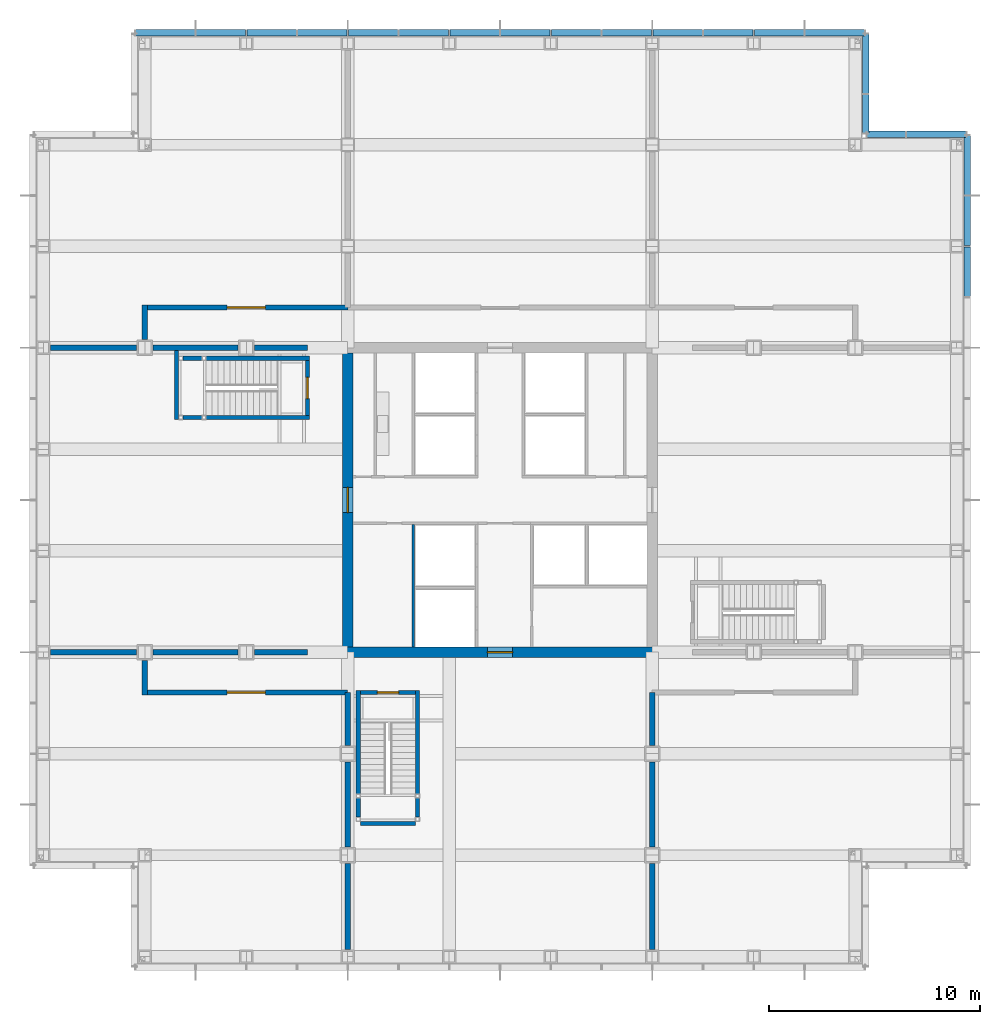
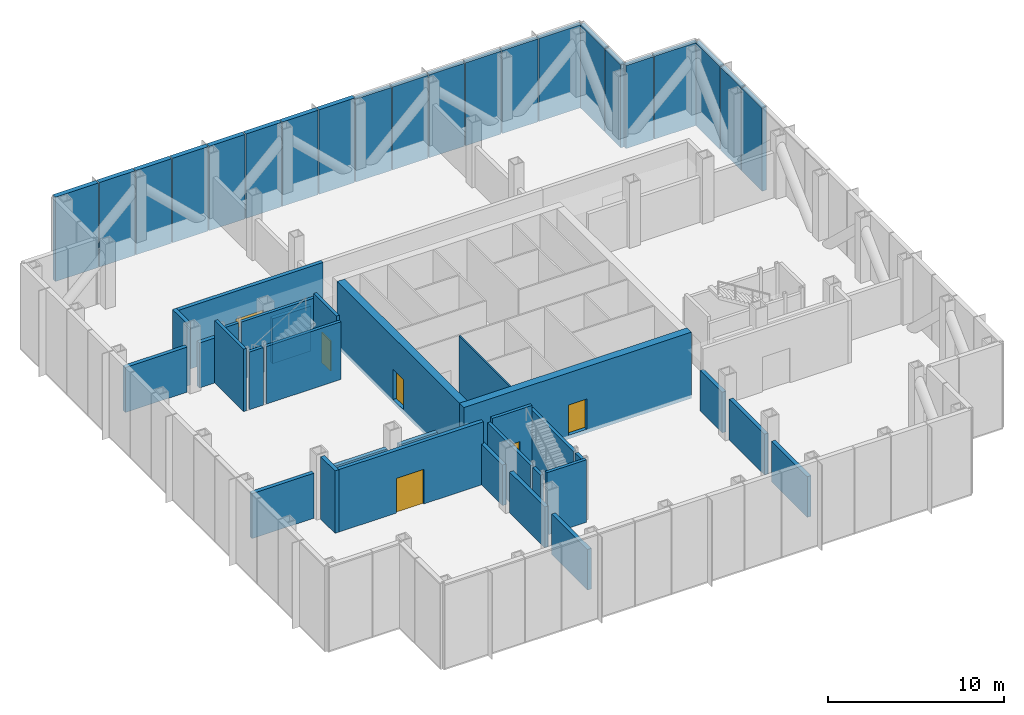
# One storey, part 13 of 18: 31 walls, 21 plates, 6 doors, 6 openings, 4 elements without a shape of their own.
"""IFC4 building model written with IfcOpenShell, lengths in metres."""

from ifc_helpers import new_model, si_unit, direction, frame, frame_2d, origin, origin_2d, place, context, subcontext, project, spatial, rectangle, extrude, material, layer, layer_set, type_object, element, fill, aggregate, save


model = new_model("IFC4")

# Units and contexts
model_context = context("Model", 3, precision=1e-05, world=origin(), true_north=direction((0.0, 1.0)))
body_context = subcontext(model_context, "Body", "Model", "MODEL_VIEW")
ifc_project = project(units=[si_unit("LENGTHUNIT", "METRE"), si_unit("AREAUNIT", "SQUARE_METRE"), si_unit("VOLUMEUNIT", "CUBIC_METRE"), si_unit("PLANEANGLEUNIT", "RADIAN"), si_unit("MASSUNIT", "GRAM", prefix="KILO")], contexts=[model_context])

# Site, building, storey
site_placement = place(None, origin())
site = spatial("IfcSite", under=ifc_project, at=site_placement, CompositionType="ELEMENT")
building_placement = place(site_placement, origin())
building = spatial("IfcBuilding", under=site, at=building_placement, Name="Kvirike Care Tower", CompositionType="ELEMENT")
storey_placement = place(building_placement, frame((0.0, 0.0, 79.5)))
storey = spatial("IfcBuildingStorey", under=building, at=storey_placement, Name="L21", CompositionType="ELEMENT", Elevation=79.5)

# Curtain wall, plates
ifc_material_1 = material(Name="Anodised aluminium stick system", Category="aluminium")
curtain_wall_type = type_object("IfcCurtainWallType", Name="CW-L LOUVRED PLANT SCREEN", PredefinedType="NOTDEFINED", material=ifc_material_1)
curtain_wall_1_placement = place(storey_placement, origin())
curtain_wall_1 = element("IfcCurtainWall", 1, at=curtain_wall_1_placement, inside=storey, type_object=curtain_wall_type, Name="Curtain wall L21 face 7", PredefinedType="NOTDEFINED")
ifc_material_2 = material(Name="Bronze anodised aluminium louvre", Category="aluminium")
ifc_layer_1 = layer(ifc_material_2, 0.300048828125)
ifc_layer_set_1 = layer_set([ifc_layer_1], Name="BRONZE LOUVRE PANEL")
plate_type = type_object("IfcPlateType", Name="BRONZE LOUVRE PANEL", PredefinedType="CURTAIN_PANEL", material=ifc_layer_set_1)
plate_1_placement = place(storey_placement, frame((43.699951171875, 46.800048828125, -1.35009765625), z_axis=(0.0, 0.0, 1.0), x_axis=(0.0, 1.0, 0.0)))
plate_1 = element("IfcPlate", 2, at=plate_1_placement, type_object=plate_type, Name="CW-L panel L21 face 7.12", PredefinedType="CURTAIN_PANEL", context=body_context, shape_type="SweptSolid", body=[
    extrude(rectangle(XDim=2.3349609375, YDim=0.300048828125, at=origin_2d()), origin(), (0.0, 0.0, 1.0), 5.75),
])
plate_2_placement = place(storey_placement, frame((43.699951171875, 49.199951171875, -1.35009765625), z_axis=(0.0, 0.0, 1.0), x_axis=(0.0, 1.0, 0.0)))
plate_2 = element("IfcPlate", 3, at=plate_2_placement, type_object=plate_type, Name="CW-L panel L21 face 7.13", PredefinedType="CURTAIN_PANEL", context=body_context, shape_type="SweptSolid", body=[
    extrude(rectangle(XDim=2.3349609375, YDim=0.300048828125, at=origin_2d()), origin(), (0.0, 0.0, 1.0), 5.75),
])
plate_3_placement = place(storey_placement, frame((43.699951171875, 51.833740234375, -1.35009765625), z_axis=(0.0, 0.0, 1.0), x_axis=(0.0, 1.0, 0.0)))
plate_3 = element("IfcPlate", 4, at=plate_3_placement, type_object=plate_type, Name="CW-L panel L21 face 7.14", PredefinedType="CURTAIN_PANEL", context=body_context, shape_type="SweptSolid", body=[
    extrude(rectangle(XDim=2.802490234375, YDim=0.300048828125, at=origin_2d()), origin(), (0.0, 0.0, 1.0), 5.75),
])
aggregate(curtain_wall_1, [plate_1, plate_2, plate_3])

curtain_wall_2_placement = place(storey_placement, origin())
curtain_wall_2 = element("IfcCurtainWall", 5, at=curtain_wall_2_placement, inside=storey, type_object=curtain_wall_type, Name="Curtain wall L21 face 8", PredefinedType="NOTDEFINED")
plate_4_placement = place(storey_placement, frame((42.233642578125, 53.300048828125, -1.35009765625), z_axis=(0.0, 0.0, 1.0), x_axis=(-1.0, 0.0, 0.0)))
plate_4 = element("IfcPlate", 6, at=plate_4_placement, type_object=plate_type, Name="CW-L panel L21 face 8.1", PredefinedType="CURTAIN_PANEL", context=body_context, shape_type="SweptSolid", body=[
    extrude(rectangle(XDim=2.802490234375, YDim=0.300048828125, at=origin_2d()), origin(), (0.0, 0.0, 1.0), 5.75),
])
plate_5_placement = place(storey_placement, frame((39.8662109375, 53.300048828125, -1.35009765625), z_axis=(0.0, 0.0, 1.0), x_axis=(-1.0, 0.0, 0.0)))
plate_5 = element("IfcPlate", 7, at=plate_5_placement, type_object=plate_type, Name="CW-L panel L21 face 8.2", PredefinedType="CURTAIN_PANEL", context=body_context, shape_type="SweptSolid", body=[
    extrude(rectangle(XDim=1.802490234375, YDim=0.300048828125, at=origin_2d()), origin(), (0.0, 0.0, 1.0), 5.75),
])
aggregate(curtain_wall_2, [plate_4, plate_5])

curtain_wall_3_placement = place(storey_placement, origin())
curtain_wall_3 = element("IfcCurtainWall", 8, at=curtain_wall_3_placement, inside=storey, type_object=curtain_wall_type, Name="Curtain wall L21 face 9", PredefinedType="NOTDEFINED")
plate_6_placement = place(storey_placement, frame((38.89990234375, 54.266357421875, -1.35009765625), z_axis=(0.0, 0.0, 1.0), x_axis=(0.0, 1.0, 0.0)))
plate_6 = element("IfcPlate", 9, at=plate_6_placement, type_object=plate_type, Name="CW-L panel L21 face 9.1", PredefinedType="CURTAIN_PANEL", context=body_context, shape_type="SweptSolid", body=[
    extrude(rectangle(XDim=1.802490234375, YDim=0.300048828125, at=origin_2d()), origin(), (0.0, 0.0, 1.0), 5.75),
])
plate_7_placement = place(storey_placement, frame((38.89990234375, 56.6337890625, -1.35009765625), z_axis=(0.0, 0.0, 1.0), x_axis=(0.0, 1.0, 0.0)))
plate_7 = element("IfcPlate", 10, at=plate_7_placement, type_object=plate_type, Name="CW-L panel L21 face 9.2", PredefinedType="CURTAIN_PANEL", context=body_context, shape_type="SweptSolid", body=[
    extrude(rectangle(XDim=2.802490234375, YDim=0.300048828125, at=origin_2d()), origin(), (0.0, 0.0, 1.0), 5.75),
])
aggregate(curtain_wall_3, [plate_6, plate_7])

curtain_wall_4_placement = place(storey_placement, origin())
curtain_wall_4 = element("IfcCurtainWall", 11, at=curtain_wall_4_placement, inside=storey, type_object=curtain_wall_type, Name="Curtain wall L21 face 10", PredefinedType="NOTDEFINED")
plate_8_placement = place(storey_placement, frame((37.433837890625, 58.10009765625, -1.35009765625), z_axis=(0.0, 0.0, 1.0), x_axis=(-1.0, 0.0, 0.0)))
plate_8 = element("IfcPlate", 12, at=plate_8_placement, type_object=plate_type, Name="CW-L panel L21 face 10.1", PredefinedType="CURTAIN_PANEL", context=body_context, shape_type="SweptSolid", body=[
    extrude(rectangle(XDim=2.802490234375, YDim=0.300048828125, at=origin_2d()), origin(), (0.0, 0.0, 1.0), 5.75),
])
plate_9_placement = place(storey_placement, frame((34.800048828125, 58.10009765625, -1.35009765625), z_axis=(0.0, 0.0, 1.0), x_axis=(-1.0, 0.0, 0.0)))
plate_9 = element("IfcPlate", 13, at=plate_9_placement, type_object=plate_type, Name="CW-L panel L21 face 10.2", PredefinedType="CURTAIN_PANEL", context=body_context, shape_type="SweptSolid", body=[
    extrude(rectangle(XDim=2.3349609375, YDim=0.300048828125, at=origin_2d()), origin(), (0.0, 0.0, 1.0), 5.75),
])
plate_10_placement = place(storey_placement, frame((32.39990234375, 58.10009765625, -1.35009765625), z_axis=(0.0, 0.0, 1.0), x_axis=(-1.0, 0.0, 0.0)))
plate_10 = element("IfcPlate", 14, at=plate_10_placement, type_object=plate_type, Name="CW-L panel L21 face 10.3", PredefinedType="CURTAIN_PANEL", context=body_context, shape_type="SweptSolid", body=[
    extrude(rectangle(XDim=2.3349609375, YDim=0.300048828125, at=origin_2d()), origin(), (0.0, 0.0, 1.0), 5.75),
])
plate_11_placement = place(storey_placement, frame((30.0, 58.10009765625, -1.35009765625), z_axis=(0.0, 0.0, 1.0), x_axis=(-1.0, 0.0, 0.0)))
plate_11 = element("IfcPlate", 15, at=plate_11_placement, type_object=plate_type, Name="CW-L panel L21 face 10.4", PredefinedType="CURTAIN_PANEL", context=body_context, shape_type="SweptSolid", body=[
    extrude(rectangle(XDim=2.3349609375, YDim=0.300048828125, at=origin_2d()), origin(), (0.0, 0.0, 1.0), 5.75),
])
plate_12_placement = place(storey_placement, frame((27.60009765625, 58.10009765625, -1.35009765625), z_axis=(0.0, 0.0, 1.0), x_axis=(-1.0, 0.0, 0.0)))
plate_12 = element("IfcPlate", 16, at=plate_12_placement, type_object=plate_type, Name="CW-L panel L21 face 10.5", PredefinedType="CURTAIN_PANEL", context=body_context, shape_type="SweptSolid", body=[
    extrude(rectangle(XDim=2.3349609375, YDim=0.300048828125, at=origin_2d()), origin(), (0.0, 0.0, 1.0), 5.75),
])
plate_13_placement = place(storey_placement, frame((25.199951171875, 58.10009765625, -1.35009765625), z_axis=(0.0, 0.0, 1.0), x_axis=(-1.0, 0.0, 0.0)))
plate_13 = element("IfcPlate", 17, at=plate_13_placement, type_object=plate_type, Name="CW-L panel L21 face 10.6", PredefinedType="CURTAIN_PANEL", context=body_context, shape_type="SweptSolid", body=[
    extrude(rectangle(XDim=2.3349609375, YDim=0.300048828125, at=origin_2d()), origin(), (0.0, 0.0, 1.0), 5.75),
])
plate_14_placement = place(storey_placement, frame((22.800048828125, 58.10009765625, -1.35009765625), z_axis=(0.0, 0.0, 1.0), x_axis=(-1.0, 0.0, 0.0)))
plate_14 = element("IfcPlate", 18, at=plate_14_placement, type_object=plate_type, Name="CW-L panel L21 face 10.7", PredefinedType="CURTAIN_PANEL", context=body_context, shape_type="SweptSolid", body=[
    extrude(rectangle(XDim=2.3349609375, YDim=0.300048828125, at=origin_2d()), origin(), (0.0, 0.0, 1.0), 5.85009765625),
])
plate_15_placement = place(storey_placement, frame((20.39990234375, 58.10009765625, -1.35009765625), z_axis=(0.0, 0.0, 1.0), x_axis=(-1.0, 0.0, 0.0)))
plate_15 = element("IfcPlate", 19, at=plate_15_placement, type_object=plate_type, Name="CW-L panel L21 face 10.8", PredefinedType="CURTAIN_PANEL", context=body_context, shape_type="SweptSolid", body=[
    extrude(rectangle(XDim=2.3349609375, YDim=0.300048828125, at=origin_2d()), origin(), (0.0, 0.0, 1.0), 5.85009765625),
])
plate_16_placement = place(storey_placement, frame((18.0, 58.10009765625, -1.35009765625), z_axis=(0.0, 0.0, 1.0), x_axis=(-1.0, 0.0, 0.0)))
plate_16 = element("IfcPlate", 20, at=plate_16_placement, type_object=plate_type, Name="CW-L panel L21 face 10.9", PredefinedType="CURTAIN_PANEL", context=body_context, shape_type="SweptSolid", body=[
    extrude(rectangle(XDim=2.3349609375, YDim=0.300048828125, at=origin_2d()), origin(), (0.0, 0.0, 1.0), 5.85009765625),
])
plate_17_placement = place(storey_placement, frame((15.60009765625, 58.10009765625, -1.35009765625), z_axis=(0.0, 0.0, 1.0), x_axis=(-1.0, 0.0, 0.0)))
plate_17 = element("IfcPlate", 21, at=plate_17_placement, type_object=plate_type, Name="CW-L panel L21 face 10.10", PredefinedType="CURTAIN_PANEL", context=body_context, shape_type="SweptSolid", body=[
    extrude(rectangle(XDim=2.3349609375, YDim=0.300048828125, at=origin_2d()), origin(), (0.0, 0.0, 1.0), 5.85009765625),
])
plate_18_placement = place(storey_placement, frame((13.199951171875, 58.10009765625, -1.35009765625), z_axis=(0.0, 0.0, 1.0), x_axis=(-1.0, 0.0, 0.0)))
plate_18 = element("IfcPlate", 22, at=plate_18_placement, type_object=plate_type, Name="CW-L panel L21 face 10.11", PredefinedType="CURTAIN_PANEL", context=body_context, shape_type="SweptSolid", body=[
    extrude(rectangle(XDim=2.3349609375, YDim=0.300048828125, at=origin_2d()), origin(), (0.0, 0.0, 1.0), 5.85009765625),
])
plate_19_placement = place(storey_placement, frame((10.800048828125, 58.10009765625, -1.35009765625), z_axis=(0.0, 0.0, 1.0), x_axis=(-1.0, 0.0, 0.0)))
plate_19 = element("IfcPlate", 23, at=plate_19_placement, type_object=plate_type, Name="CW-L panel L21 face 10.12", PredefinedType="CURTAIN_PANEL", context=body_context, shape_type="SweptSolid", body=[
    extrude(rectangle(XDim=2.3349609375, YDim=0.300048828125, at=origin_2d()), origin(), (0.0, 0.0, 1.0), 5.85009765625),
])
plate_20_placement = place(storey_placement, frame((8.39990234375, 58.10009765625, -1.35009765625), z_axis=(0.0, 0.0, 1.0), x_axis=(-1.0, 0.0, 0.0)))
plate_20 = element("IfcPlate", 24, at=plate_20_placement, type_object=plate_type, Name="CW-L panel L21 face 10.13", PredefinedType="CURTAIN_PANEL", context=body_context, shape_type="SweptSolid", body=[
    extrude(rectangle(XDim=2.3349609375, YDim=0.300048828125, at=origin_2d()), origin(), (0.0, 0.0, 1.0), 5.85009765625),
])
plate_21_placement = place(storey_placement, frame((5.766357421875, 58.10009765625, -1.35009765625), z_axis=(0.0, 0.0, 1.0), x_axis=(-1.0, 0.0, 0.0)))
plate_21 = element("IfcPlate", 25, at=plate_21_placement, type_object=plate_type, Name="CW-L panel L21 face 10.14", PredefinedType="CURTAIN_PANEL", context=body_context, shape_type="SweptSolid", body=[
    extrude(rectangle(XDim=2.802490234375, YDim=0.300048828125, at=origin_2d()), origin(), (0.0, 0.0, 1.0), 5.85009765625),
])
aggregate(curtain_wall_4, [plate_8, plate_9, plate_10, plate_11, plate_12, plate_13, plate_14, plate_15, plate_16, plate_17, plate_18, plate_19, plate_20, plate_21])

# Wall, opening, door
ifc_material_3 = material(Name="Concrete C60/75", Category="concrete")
ifc_layer_2 = layer(ifc_material_3, 0.5)
ifc_layer_set_2 = layer_set([ifc_layer_2], Name="CORE WALL 500 C60-75")
wall_type_1 = type_object("IfcWallType", Name="CORE WALL 500 C60-75", PredefinedType="SHEAR", material=ifc_layer_set_2)
wall_1_placement = place(storey_placement, frame((14.14990234375, 28.800048828125, -0.25), z_axis=(0.0, 0.0, 1.0), x_axis=(1.0, 0.0, 0.0)))
wall_1 = element("IfcWall", 26, at=wall_1_placement, inside=storey, type_object=wall_type_1, Name="Core wall S L21", PredefinedType="SHEAR", context=body_context, shape_type="SweptSolid", body=[
    extrude(rectangle(XDim=14.900146484375, YDim=0.5, at=frame_2d((7.4501953125, 0.0))), origin(), (0.0, 0.0, 1.0), 4.580078125),
])
opening_1_placement = place(wall_1_placement, frame((6.85009765625, 0.0, 0.25)))
opening_1 = element("IfcOpeningElement", 27, at=opening_1_placement, cuts=wall_1, Name="Opening 21-020", PredefinedType="OPENING", context=body_context, shape_type="SweptSolid", body=[
    extrude(rectangle(XDim=1.199951171875, YDim=2.10009765625, at=frame_2d((0.60009765625, 1.050048828125))), frame((0.0, 0.260498046875, 0.0), z_axis=(0.0, -1.0, 0.0), x_axis=(1.0, 0.0, 0.0)), (0.0, 0.0, 1.0), 0.52099609375),
])
ifc_material_4 = material(Name="Timber door set", Category="wood")
door_type_1 = type_object("IfcDoorType", Name="CORE DOOR 1200", OperationType="SINGLE_SWING_LEFT", PredefinedType="DOOR", material=ifc_material_4)
door_1_placement = place(opening_1_placement, origin())
door_1 = element("IfcDoor", 28, at=door_1_placement, inside=storey, type_object=door_type_1, Name="Core door S L21", OperationType="SINGLE_SWING_LEFT", OverallHeight=2.10009765625, OverallWidth=1.199951171875, PredefinedType="DOOR", context=body_context, shape_type="SweptSolid", body=[
    extrude(rectangle(XDim=1.199951171875, YDim=2.10009765625, at=frame_2d((0.60009765625, 1.050048828125))), frame((0.0, 0.02685546875, 0.0), z_axis=(0.0, -1.0, 0.0), x_axis=(1.0, 0.0, 0.0)), (0.0, 0.0, 1.0), 0.053955078125),
])
fill(opening_1, door_1)

wall_2_placement = place(storey_placement, frame((14.39990234375, 42.949951171875, -0.25), z_axis=(0.0, 0.0, 1.0), x_axis=(0.0, -1.0, 0.0)))
wall_2 = element("IfcWall", 29, at=wall_2_placement, inside=storey, type_object=wall_type_1, Name="Core wall W L21", PredefinedType="SHEAR", context=body_context, shape_type="SweptSolid", body=[
    extrude(rectangle(XDim=13.89990234375, YDim=0.5, at=frame_2d((6.949951171875, 0.0))), origin(), (0.0, 0.0, 1.0), 4.580078125),
])
opening_2_placement = place(wall_2_placement, frame((6.35009765625, 0.0, 0.25)))
opening_2 = element("IfcOpeningElement", 30, at=opening_2_placement, cuts=wall_2, Name="Opening 21-021", PredefinedType="OPENING", context=body_context, shape_type="SweptSolid", body=[
    extrude(rectangle(XDim=1.199951171875, YDim=2.10009765625, at=frame_2d((0.60009765625, 1.050048828125))), frame((0.0, 0.260498046875, 0.0), z_axis=(0.0, -1.0, 0.0), x_axis=(1.0, 0.0, 0.0)), (0.0, 0.0, 1.0), 0.52099609375),
])
door_2_placement = place(opening_2_placement, origin())
door_2 = element("IfcDoor", 31, at=door_2_placement, inside=storey, type_object=door_type_1, Name="Core door W L21", OperationType="SINGLE_SWING_LEFT", OverallHeight=2.10009765625, OverallWidth=1.199951171875, PredefinedType="DOOR", context=body_context, shape_type="SweptSolid", body=[
    extrude(rectangle(XDim=1.199951171875, YDim=2.10009765625, at=frame_2d((0.60009765625, 1.050048828125))), frame((0.0, 0.02685546875, 0.0), z_axis=(0.0, -1.0, 0.0), x_axis=(1.0, 0.0, 0.0)), (0.0, 0.0, 1.0), 0.053955078125),
])
fill(opening_2, door_2)

ifc_material_5 = material(Name="Concrete blockwork", Category="masonry")
ifc_layer_3 = layer(ifc_material_5, 0.25)
ifc_layer_set_3 = layer_set([ifc_layer_3], Name="PLANT ROOM WALL 250")
wall_type_2 = type_object("IfcWallType", Name="PLANT ROOM WALL 250", PredefinedType="SOLIDWALL", material=ifc_layer_set_3)
wall_3_placement = place(storey_placement, frame((4.800048828125, 26.89990234375, 0.0), z_axis=(0.0, 0.0, 1.0), x_axis=(1.0, 0.0, 0.0)))
wall_3 = element("IfcWall", 32, at=wall_3_placement, inside=storey, type_object=wall_type_2, Name="Plant Room Wall 250 L21", PredefinedType="SOLIDWALL", context=body_context, shape_type="SweptSolid", body=[
    extrude(rectangle(XDim=9.599853515625, YDim=0.25, at=frame_2d((4.7998046875, 0.0))), origin(), (0.0, 0.0, 1.0), 4.330078125),
])
opening_3_placement = place(wall_3_placement, frame((3.89990234375, 0.0, 0.0)))
opening_3 = element("IfcOpeningElement", 33, at=opening_3_placement, cuts=wall_3, Name="Opening 21-001", PredefinedType="OPENING", context=body_context, shape_type="SweptSolid", body=[
    extrude(rectangle(XDim=1.800048828125, YDim=2.39990234375, at=frame_2d((0.89990234375, 1.199951171875))), frame((0.0, 0.135498046875, 0.0), z_axis=(0.0, -1.0, 0.0), x_axis=(1.0, 0.0, 0.0)), (0.0, 0.0, 1.0), 0.27099609375),
])
ifc_material_6 = material(Name="Timber door set", Category="wood")
door_type_2 = type_object("IfcDoorType", Name="PLANT ROOM DOOR 1800", OperationType="DOUBLE_DOOR_SINGLE_SWING", PredefinedType="DOOR", material=ifc_material_6)
door_3_placement = place(opening_3_placement, frame((1.800048828125, 0.0, 0.0), z_axis=(0.0, 0.0, 1.0), x_axis=(-1.0, 0.0, 0.0)))
door_3 = element("IfcDoor", 34, at=door_3_placement, inside=storey, type_object=door_type_2, Name="Mechanical plant room door", OperationType="DOUBLE_DOOR_SINGLE_SWING", OverallHeight=2.39990234375, OverallWidth=1.800048828125, PredefinedType="DOOR", context=body_context, shape_type="SweptSolid", body=[
    extrude(rectangle(XDim=1.800048828125, YDim=2.39990234375, at=frame_2d((0.89990234375, 1.199951171875))), frame((0.0, 0.031982421875, 0.0), z_axis=(0.0, -1.0, 0.0), x_axis=(1.0, 0.0, 0.0)), (0.0, 0.0, 1.0), 0.06396484375),
])
fill(opening_3, door_3)

# Wall
wall_4_placement = place(storey_placement, frame((4.800048828125, 26.77490234375, 0.0), z_axis=(0.0, 0.0, 1.0), x_axis=(0.0, 1.0, 0.0)))
element("IfcWall", 35, at=wall_4_placement, inside=storey, type_object=wall_type_2, Name="Plant Room Wall 250 L21", PredefinedType="SOLIDWALL", context=body_context, shape_type="SweptSolid", body=[
    extrude(rectangle(XDim=1.630126953125, YDim=0.25, at=frame_2d((0.81494140625, 0.0))), origin(), (0.0, 0.0, 1.0), 4.330078125),
])

# Wall, opening, door
wall_5_placement = place(storey_placement, frame((14.39990234375, 45.10009765625, 0.0), z_axis=(0.0, 0.0, 1.0), x_axis=(-1.0, 0.0, 0.0)))
wall_5 = element("IfcWall", 36, at=wall_5_placement, inside=storey, type_object=wall_type_2, Name="Plant Room Wall 250 L21", PredefinedType="SOLIDWALL", context=body_context, shape_type="SweptSolid", body=[
    extrude(rectangle(XDim=9.599853515625, YDim=0.25, at=frame_2d((4.7998046875, 0.0))), origin(), (0.0, 0.0, 1.0), 4.330078125),
])
opening_4_placement = place(wall_5_placement, frame((3.89990234375, 0.0, 0.0)))
opening_4 = element("IfcOpeningElement", 37, at=opening_4_placement, cuts=wall_5, Name="Opening 21-003", PredefinedType="OPENING", context=body_context, shape_type="SweptSolid", body=[
    extrude(rectangle(XDim=1.800048828125, YDim=2.39990234375, at=frame_2d((0.89990234375, 1.199951171875))), frame((0.0, 0.135498046875, 0.0), z_axis=(0.0, -1.0, 0.0), x_axis=(1.0, 0.0, 0.0)), (0.0, 0.0, 1.0), 0.27099609375),
])
door_4_placement = place(opening_4_placement, frame((1.800048828125, 0.0, 0.0), z_axis=(0.0, 0.0, 1.0), x_axis=(-1.0, 0.0, 0.0)))
door_4 = element("IfcDoor", 38, at=door_4_placement, inside=storey, type_object=door_type_2, Name="Water tank room door", OperationType="DOUBLE_DOOR_SINGLE_SWING", OverallHeight=2.39990234375, OverallWidth=1.800048828125, PredefinedType="DOOR", context=body_context, shape_type="SweptSolid", body=[
    extrude(rectangle(XDim=1.800048828125, YDim=2.39990234375, at=frame_2d((0.89990234375, 1.199951171875))), frame((0.0, 0.031982421875, 0.0), z_axis=(0.0, -1.0, 0.0), x_axis=(1.0, 0.0, 0.0)), (0.0, 0.0, 1.0), 0.06396484375),
])
fill(opening_4, door_4)

# Walls
wall_6_placement = place(storey_placement, frame((4.800048828125, 45.22509765625, 0.0), z_axis=(0.0, 0.0, 1.0), x_axis=(0.0, -1.0, 0.0)))
element("IfcWall", 39, at=wall_6_placement, inside=storey, type_object=wall_type_2, Name="Plant Room Wall 250 L21", PredefinedType="SOLIDWALL", context=body_context, shape_type="SweptSolid", body=[
    extrude(rectangle(XDim=1.630126953125, YDim=0.25, at=frame_2d((0.81494140625, 0.0))), origin(), (0.0, 0.0, 1.0), 4.330078125),
])
wall_7_placement = place(storey_placement, frame((12.5, 28.800048828125, 0.0), z_axis=(0.0, 0.0, 1.0), x_axis=(-1.0, 0.0, 0.0)))
element("IfcWall", 40, at=wall_7_placement, inside=storey, type_object=wall_type_2, Name="Plant Room Wall 250 L21", PredefinedType="SOLIDWALL", context=body_context, shape_type="SweptSolid", body=[
    extrude(rectangle(XDim=2.5048828125, YDim=0.25, at=frame_2d((1.25244140625, 0.0))), origin(), (0.0, 0.0, 1.0), 3.1201171875),
])
wall_8_placement = place(storey_placement, frame((9.205078125, 28.800048828125, 0.0), z_axis=(0.0, 0.0, 1.0), x_axis=(-1.0, 0.0, 0.0)))
element("IfcWall", 41, at=wall_8_placement, inside=storey, type_object=wall_type_2, Name="Plant Room Wall 250 L21", PredefinedType="SOLIDWALL", context=body_context, shape_type="SweptSolid", body=[
    extrude(rectangle(XDim=4.010009765625, YDim=0.25, at=frame_2d((2.0048828125, 0.0))), origin(), (0.0, 0.0, 1.0), 3.1201171875),
])
wall_9_placement = place(storey_placement, frame((4.405029296875, 28.800048828125, 0.0), z_axis=(0.0, 0.0, 1.0), x_axis=(-1.0, 0.0, 0.0)))
element("IfcWall", 42, at=wall_9_placement, inside=storey, type_object=wall_type_2, Name="Plant Room Wall 250 L21", PredefinedType="SOLIDWALL", context=body_context, shape_type="SweptSolid", body=[
    extrude(rectangle(XDim=4.06005859375, YDim=0.25, at=frame_2d((2.030029296875, 0.0))), origin(), (0.0, 0.0, 1.0), 3.1201171875),
])
wall_10_placement = place(storey_placement, frame((14.39990234375, 14.7451171875, 0.0), z_axis=(0.0, 0.0, 1.0), x_axis=(0.0, 1.0, 0.0)))
element("IfcWall", 43, at=wall_10_placement, inside=storey, type_object=wall_type_2, Name="Plant Room Wall 250 L21", PredefinedType="SOLIDWALL", context=body_context, shape_type="SweptSolid", body=[
    extrude(rectangle(XDim=4.059814453125, YDim=0.25, at=frame_2d((2.02978515625, 0.0))), origin(), (0.0, 0.0, 1.0), 2.820068359375),
])
wall_11_placement = place(storey_placement, frame((14.39990234375, 19.594970703125, 0.0), z_axis=(0.0, 0.0, 1.0), x_axis=(0.0, 1.0, 0.0)))
element("IfcWall", 44, at=wall_11_placement, inside=storey, type_object=wall_type_2, Name="Plant Room Wall 250 L21", PredefinedType="SOLIDWALL", context=body_context, shape_type="SweptSolid", body=[
    extrude(rectangle(XDim=4.010009765625, YDim=0.25, at=frame_2d((2.0048828125, 0.0))), origin(), (0.0, 0.0, 1.0), 2.820068359375),
])
wall_12_placement = place(storey_placement, frame((14.39990234375, 24.39501953125, 0.0), z_axis=(0.0, 0.0, 1.0), x_axis=(0.0, 1.0, 0.0)))
element("IfcWall", 45, at=wall_12_placement, inside=storey, type_object=wall_type_2, Name="Plant Room Wall 250 L21", PredefinedType="SOLIDWALL", context=body_context, shape_type="SweptSolid", body=[
    extrude(rectangle(XDim=2.5048828125, YDim=0.25, at=frame_2d((1.25244140625, 0.0))), origin(), (0.0, 0.0, 1.0), 2.820068359375),
])
wall_13_placement = place(storey_placement, frame((12.5, 43.199951171875, 0.0), z_axis=(0.0, 0.0, 1.0), x_axis=(-1.0, 0.0, 0.0)))
element("IfcWall", 46, at=wall_13_placement, inside=storey, type_object=wall_type_2, Name="Plant Room Wall 250 L21", PredefinedType="SOLIDWALL", context=body_context, shape_type="SweptSolid", body=[
    extrude(rectangle(XDim=2.5048828125, YDim=0.25, at=frame_2d((1.25244140625, 0.0))), origin(), (0.0, 0.0, 1.0), 3.1201171875),
])
wall_14_placement = place(storey_placement, frame((9.205078125, 43.199951171875, 0.0), z_axis=(0.0, 0.0, 1.0), x_axis=(-1.0, 0.0, 0.0)))
element("IfcWall", 47, at=wall_14_placement, inside=storey, type_object=wall_type_2, Name="Plant Room Wall 250 L21", PredefinedType="SOLIDWALL", context=body_context, shape_type="SweptSolid", body=[
    extrude(rectangle(XDim=4.010009765625, YDim=0.25, at=frame_2d((2.0048828125, 0.0))), origin(), (0.0, 0.0, 1.0), 3.1201171875),
])
wall_15_placement = place(storey_placement, frame((4.405029296875, 43.199951171875, 0.0), z_axis=(0.0, 0.0, 1.0), x_axis=(-1.0, 0.0, 0.0)))
element("IfcWall", 48, at=wall_15_placement, inside=storey, type_object=wall_type_2, Name="Plant Room Wall 250 L21", PredefinedType="SOLIDWALL", context=body_context, shape_type="SweptSolid", body=[
    extrude(rectangle(XDim=4.06005859375, YDim=0.25, at=frame_2d((2.030029296875, 0.0))), origin(), (0.0, 0.0, 1.0), 3.1201171875),
])
wall_16_placement = place(storey_placement, frame((28.800048828125, 14.7451171875, 0.0), z_axis=(0.0, 0.0, 1.0), x_axis=(0.0, 1.0, 0.0)))
element("IfcWall", 49, at=wall_16_placement, inside=storey, type_object=wall_type_2, Name="Plant Room Wall 250 L21", PredefinedType="SOLIDWALL", context=body_context, shape_type="SweptSolid", body=[
    extrude(rectangle(XDim=4.059814453125, YDim=0.25, at=frame_2d((2.02978515625, 0.0))), origin(), (0.0, 0.0, 1.0), 2.820068359375),
])
wall_17_placement = place(storey_placement, frame((28.800048828125, 19.594970703125, 0.0), z_axis=(0.0, 0.0, 1.0), x_axis=(0.0, 1.0, 0.0)))
element("IfcWall", 50, at=wall_17_placement, inside=storey, type_object=wall_type_2, Name="Plant Room Wall 250 L21", PredefinedType="SOLIDWALL", context=body_context, shape_type="SweptSolid", body=[
    extrude(rectangle(XDim=4.010009765625, YDim=0.25, at=frame_2d((2.0048828125, 0.0))), origin(), (0.0, 0.0, 1.0), 2.820068359375),
])
wall_18_placement = place(storey_placement, frame((28.800048828125, 24.39501953125, 0.0), z_axis=(0.0, 0.0, 1.0), x_axis=(0.0, 1.0, 0.0)))
element("IfcWall", 51, at=wall_18_placement, inside=storey, type_object=wall_type_2, Name="Plant Room Wall 250 L21", PredefinedType="SOLIDWALL", context=body_context, shape_type="SweptSolid", body=[
    extrude(rectangle(XDim=2.5048828125, YDim=0.25, at=frame_2d((1.25244140625, 0.0))), origin(), (0.0, 0.0, 1.0), 2.820068359375),
])
ifc_material_7 = material(Name="Gypsum shaft wall system", Category="gypsum")
ifc_layer_4 = layer(ifc_material_7, 0.10009765625)
ifc_layer_set_4 = layer_set([ifc_layer_4], Name="SHAFT WALL 100")
wall_type_3 = type_object("IfcWallType", Name="SHAFT WALL 100", PredefinedType="SOLIDWALL", material=ifc_layer_set_4)
wall_19_placement = place(storey_placement, frame((17.5, 29.050048828125, 0.0), z_axis=(0.0, 0.0, 1.0), x_axis=(0.0, 1.0, 0.0)))
element("IfcWall", 52, at=wall_19_placement, inside=storey, type_object=wall_type_3, Name="Shaft Wall 100 L21", PredefinedType="SOLIDWALL", context=body_context, shape_type="SweptSolid", body=[
    extrude(rectangle(XDim=5.800048828125, YDim=0.10009765625, at=frame_2d((2.89990234375, 0.0))), origin(), (0.0, 0.0, 1.0), 4.330078125),
])
ifc_material_8 = material(Name="Concrete C40/50", Category="concrete")
ifc_layer_5 = layer(ifc_material_8, 0.199951171875)
ifc_layer_set_5 = layer_set([ifc_layer_5], Name="STAIR WALL 200")
wall_type_4 = type_object("IfcWallType", Name="STAIR WALL 200", PredefinedType="SOLIDWALL", material=ifc_layer_set_5)
wall_20_placement = place(storey_placement, frame((6.60009765625, 42.699951171875, 0.0), z_axis=(0.0, 0.0, 1.0), x_axis=(1.0, 0.0, 0.0)))
element("IfcWall", 53, at=wall_20_placement, inside=storey, type_object=wall_type_4, Name="Stair Wall 200 L21", PredefinedType="SOLIDWALL", context=body_context, shape_type="SweptSolid", body=[
    extrude(rectangle(XDim=0.89990234375, YDim=0.199951171875, at=frame_2d((0.449951171875, 0.0))), origin(), (0.0, 0.0, 1.0), 3.989990234375),
])
wall_21_placement = place(storey_placement, frame((7.699951171875, 42.699951171875, 0.0), z_axis=(0.0, 0.0, 1.0), x_axis=(1.0, 0.0, 0.0)))
element("IfcWall", 54, at=wall_21_placement, inside=storey, type_object=wall_type_4, Name="Stair Wall 200 L21", PredefinedType="SOLIDWALL", context=body_context, shape_type="SweptSolid", body=[
    extrude(rectangle(XDim=4.900146484375, YDim=0.199951171875, at=frame_2d((2.4501953125, 0.0))), origin(), (0.0, 0.0, 1.0), 3.989990234375),
])
wall_22_placement = place(storey_placement, frame((6.60009765625, 39.89990234375, 0.0), z_axis=(0.0, 0.0, 1.0), x_axis=(1.0, 0.0, 0.0)))
element("IfcWall", 55, at=wall_22_placement, inside=storey, type_object=wall_type_4, Name="Stair Wall 200 L21", PredefinedType="SOLIDWALL", context=body_context, shape_type="SweptSolid", body=[
    extrude(rectangle(XDim=0.89990234375, YDim=0.199951171875, at=frame_2d((0.449951171875, 0.0))), origin(), (0.0, 0.0, 1.0), 3.989990234375),
])
wall_23_placement = place(storey_placement, frame((7.699951171875, 39.89990234375, 0.0), z_axis=(0.0, 0.0, 1.0), x_axis=(1.0, 0.0, 0.0)))
element("IfcWall", 56, at=wall_23_placement, inside=storey, type_object=wall_type_4, Name="Stair Wall 200 L21", PredefinedType="SOLIDWALL", context=body_context, shape_type="SweptSolid", body=[
    extrude(rectangle(XDim=4.900146484375, YDim=0.199951171875, at=frame_2d((2.4501953125, 0.0))), origin(), (0.0, 0.0, 1.0), 3.989990234375),
])
wall_24_placement = place(storey_placement, frame((6.300048828125, 43.074951171875, 0.0), z_axis=(0.0, 0.0, 1.0), x_axis=(0.0, -1.0, 0.0)))
element("IfcWall", 57, at=wall_24_placement, inside=storey, type_object=wall_type_4, Name="Stair Wall 200 L21", PredefinedType="SOLIDWALL", context=body_context, shape_type="SweptSolid", body=[
    extrude(rectangle(XDim=3.27490234375, YDim=0.199951171875, at=frame_2d((1.637451171875, 0.0))), origin(), (0.0, 0.0, 1.0), 4.330078125),
])

# Wall, opening, door
wall_25_placement = place(storey_placement, frame((12.5, 42.60009765625, 0.0), z_axis=(0.0, 0.0, 1.0), x_axis=(0.0, -1.0, 0.0)))
wall_25 = element("IfcWall", 58, at=wall_25_placement, inside=storey, type_object=wall_type_4, Name="Stair Wall 200 L21", PredefinedType="SOLIDWALL", context=body_context, shape_type="SweptSolid", body=[
    extrude(rectangle(XDim=2.60009765625, YDim=0.199951171875, at=frame_2d((1.300048828125, 0.0))), origin(), (0.0, 0.0, 1.0), 4.330078125),
])
opening_5_placement = place(wall_25_placement, frame((0.800048828125, 0.0, 0.0)))
opening_5 = element("IfcOpeningElement", 59, at=opening_5_placement, cuts=wall_25, Name="Opening 21-002", PredefinedType="OPENING", context=body_context, shape_type="SweptSolid", body=[
    extrude(rectangle(XDim=1.0, YDim=2.10009765625, at=frame_2d((0.5, 1.050048828125))), frame((0.0, 0.110595703125, 0.0), z_axis=(0.0, -1.0, 0.0), x_axis=(1.0, 0.0, 0.0)), (0.0, 0.0, 1.0), 0.220947265625),
])
ifc_material_9 = material(Name="Timber door set", Category="wood")
door_type_3 = type_object("IfcDoorType", Name="STAIR DOOR 1000", OperationType="SINGLE_SWING_LEFT", PredefinedType="DOOR", material=ifc_material_9)
door_5_placement = place(opening_5_placement, frame((1.0, 0.0, 0.0), z_axis=(0.0, 0.0, 1.0), x_axis=(-1.0, 0.0, 0.0)))
door_5 = element("IfcDoor", 60, at=door_5_placement, inside=storey, type_object=door_type_3, Name="Stair 1 door", OperationType="SINGLE_SWING_RIGHT", OverallHeight=2.10009765625, OverallWidth=1.0, PredefinedType="DOOR", context=body_context, shape_type="SweptSolid", body=[
    extrude(rectangle(XDim=1.0, YDim=2.10009765625, at=frame_2d((0.5, 1.050048828125))), frame((0.0, 0.031982421875, 0.0), z_axis=(0.0, -1.0, 0.0), x_axis=(1.0, 0.0, 0.0)), (0.0, 0.0, 1.0), 0.06396484375),
])
fill(opening_5, door_5)

# Walls
wall_26_placement = place(storey_placement, frame((14.89990234375, 21.0, 0.0), z_axis=(0.0, 0.0, 1.0), x_axis=(0.0, 1.0, 0.0)))
element("IfcWall", 61, at=wall_26_placement, inside=storey, type_object=wall_type_4, Name="Stair Wall 200 L21", PredefinedType="SOLIDWALL", context=body_context, shape_type="SweptSolid", body=[
    extrude(rectangle(XDim=0.89990234375, YDim=0.199951171875, at=frame_2d((0.449951171875, 0.0))), origin(), (0.0, 0.0, 1.0), 3.989990234375),
])
wall_27_placement = place(storey_placement, frame((14.89990234375, 22.10009765625, 0.0), z_axis=(0.0, 0.0, 1.0), x_axis=(0.0, 1.0, 0.0)))
element("IfcWall", 62, at=wall_27_placement, inside=storey, type_object=wall_type_4, Name="Stair Wall 200 L21", PredefinedType="SOLIDWALL", context=body_context, shape_type="SweptSolid", body=[
    extrude(rectangle(XDim=4.89990234375, YDim=0.199951171875, at=frame_2d((2.449951171875, 0.0))), origin(), (0.0, 0.0, 1.0), 3.989990234375),
])
wall_28_placement = place(storey_placement, frame((17.699951171875, 21.0, 0.0), z_axis=(0.0, 0.0, 1.0), x_axis=(0.0, 1.0, 0.0)))
element("IfcWall", 63, at=wall_28_placement, inside=storey, type_object=wall_type_4, Name="Stair Wall 200 L21", PredefinedType="SOLIDWALL", context=body_context, shape_type="SweptSolid", body=[
    extrude(rectangle(XDim=0.89990234375, YDim=0.199951171875, at=frame_2d((0.449951171875, 0.0))), origin(), (0.0, 0.0, 1.0), 3.989990234375),
])
wall_29_placement = place(storey_placement, frame((17.699951171875, 22.10009765625, 0.0), z_axis=(0.0, 0.0, 1.0), x_axis=(0.0, 1.0, 0.0)))
element("IfcWall", 64, at=wall_29_placement, inside=storey, type_object=wall_type_4, Name="Stair Wall 200 L21", PredefinedType="SOLIDWALL", context=body_context, shape_type="SweptSolid", body=[
    extrude(rectangle(XDim=4.89990234375, YDim=0.199951171875, at=frame_2d((2.449951171875, 0.0))), origin(), (0.0, 0.0, 1.0), 3.989990234375),
])
wall_30_placement = place(storey_placement, frame((15.0, 20.699951171875, 0.0), z_axis=(0.0, 0.0, 1.0), x_axis=(1.0, 0.0, 0.0)))
element("IfcWall", 65, at=wall_30_placement, inside=storey, type_object=wall_type_4, Name="Stair Wall 200 L21", PredefinedType="SOLIDWALL", context=body_context, shape_type="SweptSolid", body=[
    extrude(rectangle(XDim=2.60009765625, YDim=0.199951171875, at=frame_2d((1.300048828125, 0.0))), origin(), (0.0, 0.0, 1.0), 4.330078125),
])

# Wall, opening, door
wall_31_placement = place(storey_placement, frame((15.0, 26.89990234375, 0.0), z_axis=(0.0, 0.0, 1.0), x_axis=(1.0, 0.0, 0.0)))
wall_31 = element("IfcWall", 66, at=wall_31_placement, inside=storey, type_object=wall_type_4, Name="Stair Wall 200 L21", PredefinedType="SOLIDWALL", context=body_context, shape_type="SweptSolid", body=[
    extrude(rectangle(XDim=2.60009765625, YDim=0.199951171875, at=frame_2d((1.300048828125, 0.0))), origin(), (0.0, 0.0, 1.0), 4.330078125),
])
opening_6_placement = place(wall_31_placement, frame((0.800048828125, 0.0, 0.0)))
opening_6 = element("IfcOpeningElement", 67, at=opening_6_placement, cuts=wall_31, Name="Opening 21-004", PredefinedType="OPENING", context=body_context, shape_type="SweptSolid", body=[
    extrude(rectangle(XDim=1.0, YDim=2.10009765625, at=frame_2d((0.5, 1.050048828125))), frame((0.0, 0.110595703125, 0.0), z_axis=(0.0, -1.0, 0.0), x_axis=(1.0, 0.0, 0.0)), (0.0, 0.0, 1.0), 0.220947265625),
])
door_6_placement = place(opening_6_placement, frame((1.0, 0.0, 0.0), z_axis=(0.0, 0.0, 1.0), x_axis=(-1.0, 0.0, 0.0)))
door_6 = element("IfcDoor", 68, at=door_6_placement, inside=storey, type_object=door_type_3, Name="Stair 5 door", OperationType="SINGLE_SWING_RIGHT", OverallHeight=2.10009765625, OverallWidth=1.0, PredefinedType="DOOR", context=body_context, shape_type="SweptSolid", body=[
    extrude(rectangle(XDim=1.0, YDim=2.10009765625, at=frame_2d((0.5, 1.050048828125))), frame((0.0, 0.031982421875, 0.0), z_axis=(0.0, -1.0, 0.0), x_axis=(1.0, 0.0, 0.0)), (0.0, 0.0, 1.0), 0.06396484375),
])
fill(opening_6, door_6)

save(model, "model.ifc")
